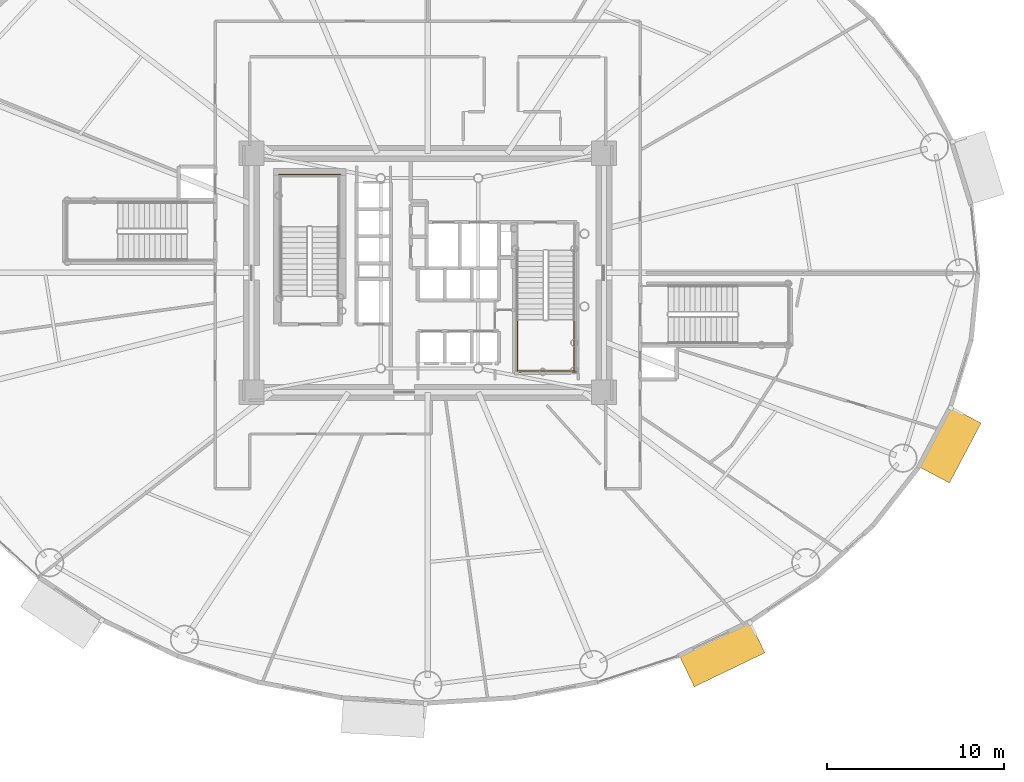
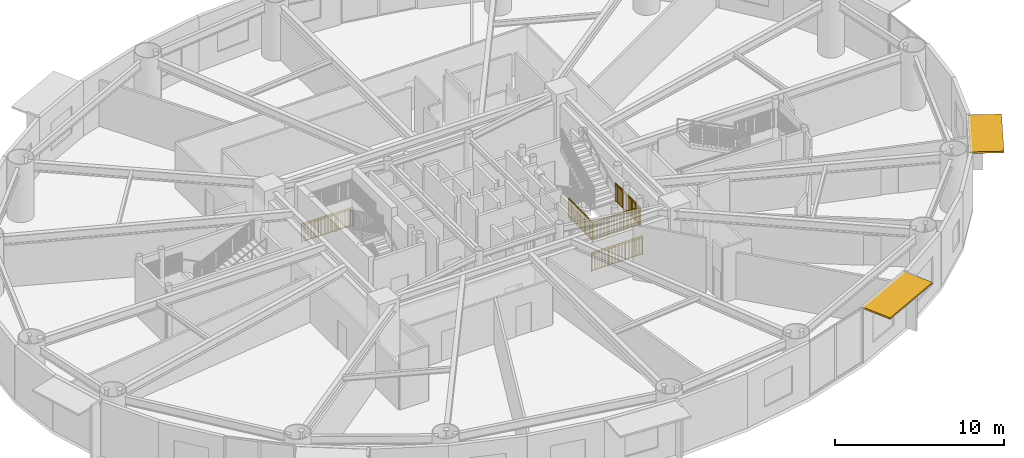
# One storey, part 24 of 29: 5 railings, 2 shading devices.
"""IFC4 building model written with IfcOpenShell, lengths in metres."""

from ifc_helpers import new_model, si_unit, direction, frame, origin, origin_2d, place, context, subcontext, project, spatial, rectangle, extrude, source, transform, mapped, material, layer, layer_set, type_object, element, save


model = new_model("IFC4")

# Units and contexts
model_context = context("Model", 3, precision=1e-05, world=origin(), true_north=direction((0.0, 1.0)))
body_context = subcontext(model_context, "Body", "Model", "MODEL_VIEW")
ifc_project = project(units=[si_unit("LENGTHUNIT", "METRE"), si_unit("AREAUNIT", "SQUARE_METRE"), si_unit("VOLUMEUNIT", "CUBIC_METRE"), si_unit("PLANEANGLEUNIT", "RADIAN"), si_unit("MASSUNIT", "GRAM", prefix="KILO")], contexts=[model_context])

# Site, building, storey
site_placement = place(None, origin())
site = spatial("IfcSite", under=ifc_project, at=site_placement, CompositionType="ELEMENT")
building_placement = place(site_placement, origin())
building = spatial("IfcBuilding", under=site, at=building_placement, Name="Linh Dai School and Residence Tower", CompositionType="ELEMENT")
storey_placement = place(building_placement, frame((0.0, 0.0, 45.0)))
storey = spatial("IfcBuildingStorey", under=building, at=storey_placement, Name="L10", CompositionType="ELEMENT", Elevation=45.0)

# Shading devices
ifc_material_1 = material(Name="Terracotta Ceramic Sunshade", Category="masonry")
ifc_layer = layer(ifc_material_1, 0.1201171875)
ifc_layer_set = layer_set([ifc_layer], Name="Terracotta Ceramic Sunshade")
shading_device_type = type_object("IfcShadingDeviceType", Name="SHD-TC-2000", PredefinedType="USERDEFINED", material=ifc_layer_set)
shared_shape_1 = source(origin(), body_context, "Body", "SweptSolid", [
    extrude(rectangle(XDim=4.428466796875, YDim=2.0, at=origin_2d()), origin(), (0.0, 0.0, 1.0), 0.1201171875),
])
shading_device_1_placement = place(storey_placement, frame((52.613037109375, 5.48095703125, 3.81005859375), z_axis=(0.0, 0.0, 1.0), x_axis=(-0.901584514626, -0.432603008528, 0.0)))
element("IfcShadingDevice", 1, at=shading_device_1_placement, inside=storey, type_object=shading_device_type, Name="L10 Terracotta Horizontal Sunshade Band 34", ObjectType="SUNSHADE", PredefinedType="USERDEFINED", context=body_context, shape_type="MappedRepresentation", body=[
    mapped(shared_shape_1, transform((0.0, 0.0, 0.0), x_axis=(1.0, 0.0, 0.0), y_axis=(0.0, 1.0, 0.0), z_axis=(0.0, 0.0, 1.0), scale=1.0)),
])
shared_shape_2 = source(origin(), body_context, "Body", "SweptSolid", [
    extrude(rectangle(XDim=3.824462890625, YDim=2.0, at=origin_2d()), origin(), (0.0, 0.0, 1.0), 0.1201171875),
])
shading_device_2_placement = place(storey_placement, frame((65.474609375, 17.2890625, 3.81005859375), z_axis=(0.0, 0.0, 1.0), x_axis=(-0.467611940042, -0.883933862645, 0.0)))
element("IfcShadingDevice", 2, at=shading_device_2_placement, inside=storey, type_object=shading_device_type, Name="L10 Terracotta Horizontal Sunshade Band 38", ObjectType="SUNSHADE", PredefinedType="USERDEFINED", context=body_context, shape_type="MappedRepresentation", body=[
    mapped(shared_shape_2, transform((0.0, 0.0, 0.0), x_axis=(1.0, 0.0, 0.0), y_axis=(0.0, 1.0, 0.0), z_axis=(0.0, 0.0, 1.0), scale=1.0)),
])

# Railings
ifc_material_2 = material(Name="Structural Steel S355JR", Category="steel")
railing_type = type_object("IfcRailingType", Name="RL-ST-GUARD-1400", PredefinedType="GUARDRAIL", material=ifc_material_2)
shared_shape_3 = source(origin(), body_context, "Body", "SweptSolid", [
    extrude(rectangle(XDim=0.048095703125, YDim=0.048095703125, at=origin_2d()), frame((0.0, 0.0, 1.3759765625), z_axis=(-1.0, 0.0, 0.0), x_axis=(0.0, -1.0, 0.0)), (0.0, 0.0, 1.0), 3.5),
    extrude(rectangle(XDim=0.048095703125, YDim=0.048095703125, at=origin_2d()), frame((0.0, 0.0, 0.10009765625), z_axis=(-1.0, 0.0, 0.0), x_axis=(0.0, -1.0, 0.0)), (0.0, 0.0, 1.0), 3.5),
    extrude(rectangle(XDim=0.030029296875, YDim=0.030029296875, at=origin_2d()), frame((0.0, 0.0, 1.239990234375), z_axis=(-1.0, 0.0, 0.0), x_axis=(0.0, -1.0, 0.0)), (0.0, 0.0, 1.0), 3.5),
    extrude(rectangle(XDim=0.02001953125, YDim=0.02001953125, at=origin_2d()), frame((-0.09716796875, 0.0, 0.10009765625)), (0.0, 0.0, 1.0), 1.251708984375),
    extrude(rectangle(XDim=0.02001953125, YDim=0.02001953125, at=origin_2d()), frame((-0.1943359375, 0.0, 0.10009765625)), (0.0, 0.0, 1.0), 1.251708984375),
    extrude(rectangle(XDim=0.02001953125, YDim=0.02001953125, at=origin_2d()), frame((-0.291748046875, 0.0, 0.10009765625)), (0.0, 0.0, 1.0), 1.251708984375),
    extrude(rectangle(XDim=0.02001953125, YDim=0.02001953125, at=origin_2d()), frame((-0.388916015625, 0.0, 0.10009765625)), (0.0, 0.0, 1.0), 1.251708984375),
    extrude(rectangle(XDim=0.02001953125, YDim=0.02001953125, at=origin_2d()), frame((-0.486083984375, 0.0, 0.10009765625)), (0.0, 0.0, 1.0), 1.251708984375),
    extrude(rectangle(XDim=0.02001953125, YDim=0.02001953125, at=origin_2d()), frame((-0.583251953125, 0.0, 0.10009765625)), (0.0, 0.0, 1.0), 1.251708984375),
    extrude(rectangle(XDim=0.02001953125, YDim=0.02001953125, at=origin_2d()), frame((-0.6806640625, 0.0, 0.10009765625)), (0.0, 0.0, 1.0), 1.251708984375),
    extrude(rectangle(XDim=0.02001953125, YDim=0.02001953125, at=origin_2d()), frame((-0.77783203125, 0.0, 0.10009765625)), (0.0, 0.0, 1.0), 1.251708984375),
    extrude(rectangle(XDim=0.02001953125, YDim=0.02001953125, at=origin_2d()), frame((-0.875, 0.0, 0.10009765625)), (0.0, 0.0, 1.0), 1.251708984375),
    extrude(rectangle(XDim=0.02001953125, YDim=0.02001953125, at=origin_2d()), frame((-0.97216796875, 0.0, 0.10009765625)), (0.0, 0.0, 1.0), 1.251708984375),
    extrude(rectangle(XDim=0.02001953125, YDim=0.02001953125, at=origin_2d()), frame((-1.0693359375, 0.0, 0.10009765625)), (0.0, 0.0, 1.0), 1.251708984375),
    extrude(rectangle(XDim=0.02001953125, YDim=0.02001953125, at=origin_2d()), frame((-1.263916015625, 0.0, 0.10009765625)), (0.0, 0.0, 1.0), 1.251708984375),
    extrude(rectangle(XDim=0.02001953125, YDim=0.02001953125, at=origin_2d()), frame((-1.361083984375, 0.0, 0.10009765625)), (0.0, 0.0, 1.0), 1.251708984375),
    extrude(rectangle(XDim=0.02001953125, YDim=0.02001953125, at=origin_2d()), frame((-1.458251953125, 0.0, 0.10009765625)), (0.0, 0.0, 1.0), 1.251708984375),
    extrude(rectangle(XDim=0.02001953125, YDim=0.02001953125, at=origin_2d()), frame((-1.5556640625, 0.0, 0.10009765625)), (0.0, 0.0, 1.0), 1.251708984375),
    extrude(rectangle(XDim=0.02001953125, YDim=0.02001953125, at=origin_2d()), frame((-1.65283203125, 0.0, 0.10009765625)), (0.0, 0.0, 1.0), 1.251708984375),
    extrude(rectangle(XDim=0.02001953125, YDim=0.02001953125, at=origin_2d()), frame((-1.75, 0.0, 0.10009765625)), (0.0, 0.0, 1.0), 1.251708984375),
    extrude(rectangle(XDim=0.02001953125, YDim=0.02001953125, at=origin_2d()), frame((-1.84716796875, 0.0, 0.10009765625)), (0.0, 0.0, 1.0), 1.251708984375),
    extrude(rectangle(XDim=0.02001953125, YDim=0.02001953125, at=origin_2d()), frame((-1.9443359375, 0.0, 0.10009765625)), (0.0, 0.0, 1.0), 1.251708984375),
    extrude(rectangle(XDim=0.02001953125, YDim=0.02001953125, at=origin_2d()), frame((-2.041748046875, 0.0, 0.10009765625)), (0.0, 0.0, 1.0), 1.251708984375),
    extrude(rectangle(XDim=0.02001953125, YDim=0.02001953125, at=origin_2d()), frame((-2.138916015625, 0.0, 0.10009765625)), (0.0, 0.0, 1.0), 1.251708984375),
    extrude(rectangle(XDim=0.02001953125, YDim=0.02001953125, at=origin_2d()), frame((-2.236083984375, 0.0, 0.10009765625)), (0.0, 0.0, 1.0), 1.251708984375),
    extrude(rectangle(XDim=0.02001953125, YDim=0.02001953125, at=origin_2d()), frame((-2.4306640625, 0.0, 0.10009765625)), (0.0, 0.0, 1.0), 1.251708984375),
    extrude(rectangle(XDim=0.02001953125, YDim=0.02001953125, at=origin_2d()), frame((-2.52783203125, 0.0, 0.10009765625)), (0.0, 0.0, 1.0), 1.251708984375),
    extrude(rectangle(XDim=0.02001953125, YDim=0.02001953125, at=origin_2d()), frame((-2.625, 0.0, 0.10009765625)), (0.0, 0.0, 1.0), 1.251708984375),
    extrude(rectangle(XDim=0.02001953125, YDim=0.02001953125, at=origin_2d()), frame((-2.72216796875, 0.0, 0.10009765625)), (0.0, 0.0, 1.0), 1.251708984375),
    extrude(rectangle(XDim=0.02001953125, YDim=0.02001953125, at=origin_2d()), frame((-2.8193359375, 0.0, 0.10009765625)), (0.0, 0.0, 1.0), 1.251708984375),
    extrude(rectangle(XDim=0.02001953125, YDim=0.02001953125, at=origin_2d()), frame((-2.916748046875, 0.0, 0.10009765625)), (0.0, 0.0, 1.0), 1.251708984375),
    extrude(rectangle(XDim=0.02001953125, YDim=0.02001953125, at=origin_2d()), frame((-3.013916015625, 0.0, 0.10009765625)), (0.0, 0.0, 1.0), 1.251708984375),
    extrude(rectangle(XDim=0.02001953125, YDim=0.02001953125, at=origin_2d()), frame((-3.111083984375, 0.0, 0.10009765625)), (0.0, 0.0, 1.0), 1.251708984375),
    extrude(rectangle(XDim=0.02001953125, YDim=0.02001953125, at=origin_2d()), frame((-3.208251953125, 0.0, 0.10009765625)), (0.0, 0.0, 1.0), 1.251708984375),
    extrude(rectangle(XDim=0.02001953125, YDim=0.02001953125, at=origin_2d()), frame((-3.3056640625, 0.0, 0.10009765625)), (0.0, 0.0, 1.0), 1.251708984375),
    extrude(rectangle(XDim=0.02001953125, YDim=0.02001953125, at=origin_2d()), frame((-3.40283203125, 0.0, 0.10009765625)), (0.0, 0.0, 1.0), 1.251708984375),
    extrude(rectangle(XDim=0.0419921875, YDim=0.0419921875, at=origin_2d()), origin(), (0.0, 0.0, 1.0), 1.3759765625),
    extrude(rectangle(XDim=0.0419921875, YDim=0.0419921875, at=origin_2d()), frame((-1.166748046875, 0.0, 0.0)), (0.0, 0.0, 1.0), 1.3759765625),
    extrude(rectangle(XDim=0.0419921875, YDim=0.0419921875, at=origin_2d()), frame((-2.333251953125, 0.0, 0.0)), (0.0, 0.0, 1.0), 1.3759765625),
    extrude(rectangle(XDim=0.0419921875, YDim=0.0419921875, at=origin_2d()), frame((-3.5, 0.0, 0.0)), (0.0, 0.0, 1.0), 1.3759765625),
])
railing_1_placement = place(storey_placement, frame((31.080078125, 32.550048828125, 0.0)))
element("IfcRailing", 3, at=railing_1_placement, inside=storey, type_object=railing_type, Name="L10 ST1 stair guard 12", PredefinedType="GUARDRAIL", context=body_context, shape_type="MappedRepresentation", body=[
    mapped(shared_shape_3, transform((0.0, 0.0, 0.0), x_axis=(1.0, 0.0, 0.0), y_axis=(0.0, 1.0, 0.0), z_axis=(0.0, 0.0, 1.0), scale=1.0)),
])
shared_shape_4 = source(origin(), body_context, "Body", "SweptSolid", [
    extrude(rectangle(XDim=0.048095703125, YDim=0.048095703125, at=origin_2d()), frame((0.0, 0.0, 1.3759765625), z_axis=(1.0, 0.0, 0.0), x_axis=(0.0, 1.0, 0.0)), (0.0, 0.0, 1.0), 3.300048828125),
    extrude(rectangle(XDim=0.048095703125, YDim=0.048095703125, at=origin_2d()), frame((0.0, 0.0, 0.10009765625), z_axis=(1.0, 0.0, 0.0), x_axis=(0.0, 1.0, 0.0)), (0.0, 0.0, 1.0), 3.300048828125),
    extrude(rectangle(XDim=0.030029296875, YDim=0.030029296875, at=origin_2d()), frame((0.0, 0.0, 1.239990234375), z_axis=(1.0, 0.0, 0.0), x_axis=(0.0, 1.0, 0.0)), (0.0, 0.0, 1.0), 3.300048828125),
    extrude(rectangle(XDim=0.02001953125, YDim=0.02001953125, at=origin_2d()), frame((0.09716796875, 0.0, 0.10009765625)), (0.0, 0.0, 1.0), 1.251708984375),
    extrude(rectangle(XDim=0.02001953125, YDim=0.02001953125, at=origin_2d()), frame((0.194091796875, 0.0, 0.10009765625)), (0.0, 0.0, 1.0), 1.251708984375),
    extrude(rectangle(XDim=0.02001953125, YDim=0.02001953125, at=origin_2d()), frame((0.291259765625, 0.0, 0.10009765625)), (0.0, 0.0, 1.0), 1.251708984375),
    extrude(rectangle(XDim=0.02001953125, YDim=0.02001953125, at=origin_2d()), frame((0.38818359375, 0.0, 0.10009765625)), (0.0, 0.0, 1.0), 1.251708984375),
    extrude(rectangle(XDim=0.02001953125, YDim=0.02001953125, at=origin_2d()), frame((0.4853515625, 0.0, 0.10009765625)), (0.0, 0.0, 1.0), 1.251708984375),
    extrude(rectangle(XDim=0.02001953125, YDim=0.02001953125, at=origin_2d()), frame((0.582275390625, 0.0, 0.10009765625)), (0.0, 0.0, 1.0), 1.251708984375),
    extrude(rectangle(XDim=0.02001953125, YDim=0.02001953125, at=origin_2d()), frame((0.679443359375, 0.0, 0.10009765625)), (0.0, 0.0, 1.0), 1.251708984375),
    extrude(rectangle(XDim=0.02001953125, YDim=0.02001953125, at=origin_2d()), frame((0.7763671875, 0.0, 0.10009765625)), (0.0, 0.0, 1.0), 1.251708984375),
    extrude(rectangle(XDim=0.02001953125, YDim=0.02001953125, at=origin_2d()), frame((0.87353515625, 0.0, 0.10009765625)), (0.0, 0.0, 1.0), 1.251708984375),
    extrude(rectangle(XDim=0.02001953125, YDim=0.02001953125, at=origin_2d()), frame((0.970703125, 0.0, 0.10009765625)), (0.0, 0.0, 1.0), 1.251708984375),
    extrude(rectangle(XDim=0.02001953125, YDim=0.02001953125, at=origin_2d()), frame((1.164794921875, 0.0, 0.10009765625)), (0.0, 0.0, 1.0), 1.251708984375),
    extrude(rectangle(XDim=0.02001953125, YDim=0.02001953125, at=origin_2d()), frame((1.26171875, 0.0, 0.10009765625)), (0.0, 0.0, 1.0), 1.251708984375),
    extrude(rectangle(XDim=0.02001953125, YDim=0.02001953125, at=origin_2d()), frame((1.35888671875, 0.0, 0.10009765625)), (0.0, 0.0, 1.0), 1.251708984375),
    extrude(rectangle(XDim=0.02001953125, YDim=0.02001953125, at=origin_2d()), frame((1.455810546875, 0.0, 0.10009765625)), (0.0, 0.0, 1.0), 1.251708984375),
    extrude(rectangle(XDim=0.02001953125, YDim=0.02001953125, at=origin_2d()), frame((1.552978515625, 0.0, 0.10009765625)), (0.0, 0.0, 1.0), 1.251708984375),
    extrude(rectangle(XDim=0.02001953125, YDim=0.02001953125, at=origin_2d()), frame((1.64990234375, 0.0, 0.10009765625)), (0.0, 0.0, 1.0), 1.251708984375),
    extrude(rectangle(XDim=0.02001953125, YDim=0.02001953125, at=origin_2d()), frame((1.7470703125, 0.0, 0.10009765625)), (0.0, 0.0, 1.0), 1.251708984375),
    extrude(rectangle(XDim=0.02001953125, YDim=0.02001953125, at=origin_2d()), frame((1.84423828125, 0.0, 0.10009765625)), (0.0, 0.0, 1.0), 1.251708984375),
    extrude(rectangle(XDim=0.02001953125, YDim=0.02001953125, at=origin_2d()), frame((1.941162109375, 0.0, 0.10009765625)), (0.0, 0.0, 1.0), 1.251708984375),
    extrude(rectangle(XDim=0.02001953125, YDim=0.02001953125, at=origin_2d()), frame((2.038330078125, 0.0, 0.10009765625)), (0.0, 0.0, 1.0), 1.251708984375),
    extrude(rectangle(XDim=0.02001953125, YDim=0.02001953125, at=origin_2d()), frame((2.13525390625, 0.0, 0.10009765625)), (0.0, 0.0, 1.0), 1.251708984375),
    extrude(rectangle(XDim=0.02001953125, YDim=0.02001953125, at=origin_2d()), frame((2.329345703125, 0.0, 0.10009765625)), (0.0, 0.0, 1.0), 1.251708984375),
    extrude(rectangle(XDim=0.02001953125, YDim=0.02001953125, at=origin_2d()), frame((2.426513671875, 0.0, 0.10009765625)), (0.0, 0.0, 1.0), 1.251708984375),
    extrude(rectangle(XDim=0.02001953125, YDim=0.02001953125, at=origin_2d()), frame((2.523681640625, 0.0, 0.10009765625)), (0.0, 0.0, 1.0), 1.251708984375),
    extrude(rectangle(XDim=0.02001953125, YDim=0.02001953125, at=origin_2d()), frame((2.62060546875, 0.0, 0.10009765625)), (0.0, 0.0, 1.0), 1.251708984375),
    extrude(rectangle(XDim=0.02001953125, YDim=0.02001953125, at=origin_2d()), frame((2.7177734375, 0.0, 0.10009765625)), (0.0, 0.0, 1.0), 1.251708984375),
    extrude(rectangle(XDim=0.02001953125, YDim=0.02001953125, at=origin_2d()), frame((2.814697265625, 0.0, 0.10009765625)), (0.0, 0.0, 1.0), 1.251708984375),
    extrude(rectangle(XDim=0.02001953125, YDim=0.02001953125, at=origin_2d()), frame((2.911865234375, 0.0, 0.10009765625)), (0.0, 0.0, 1.0), 1.251708984375),
    extrude(rectangle(XDim=0.02001953125, YDim=0.02001953125, at=origin_2d()), frame((3.0087890625, 0.0, 0.10009765625)), (0.0, 0.0, 1.0), 1.251708984375),
    extrude(rectangle(XDim=0.02001953125, YDim=0.02001953125, at=origin_2d()), frame((3.10595703125, 0.0, 0.10009765625)), (0.0, 0.0, 1.0), 1.251708984375),
    extrude(rectangle(XDim=0.02001953125, YDim=0.02001953125, at=origin_2d()), frame((3.202880859375, 0.0, 0.10009765625)), (0.0, 0.0, 1.0), 1.251708984375),
    extrude(rectangle(XDim=0.0419921875, YDim=0.0419921875, at=origin_2d()), origin(), (0.0, 0.0, 1.0), 1.3759765625),
    extrude(rectangle(XDim=0.0419921875, YDim=0.0419921875, at=origin_2d()), frame((1.10009765625, 0.0, 0.0)), (0.0, 0.0, 1.0), 1.3759765625),
    extrude(rectangle(XDim=0.0419921875, YDim=0.0419921875, at=origin_2d()), frame((2.199951171875, 0.0, 0.0)), (0.0, 0.0, 1.0), 1.3759765625),
    extrude(rectangle(XDim=0.0419921875, YDim=0.0419921875, at=origin_2d()), frame((3.300048828125, 0.0, 0.0)), (0.0, 0.0, 1.0), 1.3759765625),
])
railing_2_placement = place(storey_placement, frame((41.02001953125, 21.5, 2.10009765625)))
element("IfcRailing", 4, at=railing_2_placement, inside=storey, type_object=railing_type, Name="L10 ST2 stair guard 5", PredefinedType="GUARDRAIL", context=body_context, shape_type="MappedRepresentation", body=[
    mapped(shared_shape_4, transform((0.0, 0.0, 0.0), x_axis=(1.0, 0.0, 0.0), y_axis=(0.0, 1.0, 0.0), z_axis=(0.0, 0.0, 1.0), scale=1.0)),
])
shared_shape_5 = source(origin(), body_context, "Body", "SweptSolid", [
    extrude(rectangle(XDim=0.048095703125, YDim=0.048095703125, at=origin_2d()), frame((0.0, 0.0, 1.3759765625), z_axis=(1.0, 0.0, 0.0), x_axis=(0.0, 1.0, 0.0)), (0.0, 0.0, 1.0), 3.5),
    extrude(rectangle(XDim=0.048095703125, YDim=0.048095703125, at=origin_2d()), frame((0.0, 0.0, 0.10009765625), z_axis=(1.0, 0.0, 0.0), x_axis=(0.0, 1.0, 0.0)), (0.0, 0.0, 1.0), 3.5),
    extrude(rectangle(XDim=0.030029296875, YDim=0.030029296875, at=origin_2d()), frame((0.0, 0.0, 1.239990234375), z_axis=(1.0, 0.0, 0.0), x_axis=(0.0, 1.0, 0.0)), (0.0, 0.0, 1.0), 3.5),
    extrude(rectangle(XDim=0.02001953125, YDim=0.02001953125, at=origin_2d()), frame((0.09716796875, 0.0, 0.10009765625)), (0.0, 0.0, 1.0), 1.251708984375),
    extrude(rectangle(XDim=0.02001953125, YDim=0.02001953125, at=origin_2d()), frame((0.1943359375, 0.0, 0.10009765625)), (0.0, 0.0, 1.0), 1.251708984375),
    extrude(rectangle(XDim=0.02001953125, YDim=0.02001953125, at=origin_2d()), frame((0.291748046875, 0.0, 0.10009765625)), (0.0, 0.0, 1.0), 1.251708984375),
    extrude(rectangle(XDim=0.02001953125, YDim=0.02001953125, at=origin_2d()), frame((0.388916015625, 0.0, 0.10009765625)), (0.0, 0.0, 1.0), 1.251708984375),
    extrude(rectangle(XDim=0.02001953125, YDim=0.02001953125, at=origin_2d()), frame((0.486083984375, 0.0, 0.10009765625)), (0.0, 0.0, 1.0), 1.251708984375),
    extrude(rectangle(XDim=0.02001953125, YDim=0.02001953125, at=origin_2d()), frame((0.583251953125, 0.0, 0.10009765625)), (0.0, 0.0, 1.0), 1.251708984375),
    extrude(rectangle(XDim=0.02001953125, YDim=0.02001953125, at=origin_2d()), frame((0.6806640625, 0.0, 0.10009765625)), (0.0, 0.0, 1.0), 1.251708984375),
    extrude(rectangle(XDim=0.02001953125, YDim=0.02001953125, at=origin_2d()), frame((0.77783203125, 0.0, 0.10009765625)), (0.0, 0.0, 1.0), 1.251708984375),
    extrude(rectangle(XDim=0.02001953125, YDim=0.02001953125, at=origin_2d()), frame((0.875, 0.0, 0.10009765625)), (0.0, 0.0, 1.0), 1.251708984375),
    extrude(rectangle(XDim=0.02001953125, YDim=0.02001953125, at=origin_2d()), frame((0.97216796875, 0.0, 0.10009765625)), (0.0, 0.0, 1.0), 1.251708984375),
    extrude(rectangle(XDim=0.02001953125, YDim=0.02001953125, at=origin_2d()), frame((1.0693359375, 0.0, 0.10009765625)), (0.0, 0.0, 1.0), 1.251708984375),
    extrude(rectangle(XDim=0.02001953125, YDim=0.02001953125, at=origin_2d()), frame((1.263916015625, 0.0, 0.10009765625)), (0.0, 0.0, 1.0), 1.251708984375),
    extrude(rectangle(XDim=0.02001953125, YDim=0.02001953125, at=origin_2d()), frame((1.361083984375, 0.0, 0.10009765625)), (0.0, 0.0, 1.0), 1.251708984375),
    extrude(rectangle(XDim=0.02001953125, YDim=0.02001953125, at=origin_2d()), frame((1.458251953125, 0.0, 0.10009765625)), (0.0, 0.0, 1.0), 1.251708984375),
    extrude(rectangle(XDim=0.02001953125, YDim=0.02001953125, at=origin_2d()), frame((1.5556640625, 0.0, 0.10009765625)), (0.0, 0.0, 1.0), 1.251708984375),
    extrude(rectangle(XDim=0.02001953125, YDim=0.02001953125, at=origin_2d()), frame((1.65283203125, 0.0, 0.10009765625)), (0.0, 0.0, 1.0), 1.251708984375),
    extrude(rectangle(XDim=0.02001953125, YDim=0.02001953125, at=origin_2d()), frame((1.75, 0.0, 0.10009765625)), (0.0, 0.0, 1.0), 1.251708984375),
    extrude(rectangle(XDim=0.02001953125, YDim=0.02001953125, at=origin_2d()), frame((1.84716796875, 0.0, 0.10009765625)), (0.0, 0.0, 1.0), 1.251708984375),
    extrude(rectangle(XDim=0.02001953125, YDim=0.02001953125, at=origin_2d()), frame((1.9443359375, 0.0, 0.10009765625)), (0.0, 0.0, 1.0), 1.251708984375),
    extrude(rectangle(XDim=0.02001953125, YDim=0.02001953125, at=origin_2d()), frame((2.041748046875, 0.0, 0.10009765625)), (0.0, 0.0, 1.0), 1.251708984375),
    extrude(rectangle(XDim=0.02001953125, YDim=0.02001953125, at=origin_2d()), frame((2.138916015625, 0.0, 0.10009765625)), (0.0, 0.0, 1.0), 1.251708984375),
    extrude(rectangle(XDim=0.02001953125, YDim=0.02001953125, at=origin_2d()), frame((2.236083984375, 0.0, 0.10009765625)), (0.0, 0.0, 1.0), 1.251708984375),
    extrude(rectangle(XDim=0.02001953125, YDim=0.02001953125, at=origin_2d()), frame((2.4306640625, 0.0, 0.10009765625)), (0.0, 0.0, 1.0), 1.251708984375),
    extrude(rectangle(XDim=0.02001953125, YDim=0.02001953125, at=origin_2d()), frame((2.52783203125, 0.0, 0.10009765625)), (0.0, 0.0, 1.0), 1.251708984375),
    extrude(rectangle(XDim=0.02001953125, YDim=0.02001953125, at=origin_2d()), frame((2.625, 0.0, 0.10009765625)), (0.0, 0.0, 1.0), 1.251708984375),
    extrude(rectangle(XDim=0.02001953125, YDim=0.02001953125, at=origin_2d()), frame((2.72216796875, 0.0, 0.10009765625)), (0.0, 0.0, 1.0), 1.251708984375),
    extrude(rectangle(XDim=0.02001953125, YDim=0.02001953125, at=origin_2d()), frame((2.8193359375, 0.0, 0.10009765625)), (0.0, 0.0, 1.0), 1.251708984375),
    extrude(rectangle(XDim=0.02001953125, YDim=0.02001953125, at=origin_2d()), frame((2.916748046875, 0.0, 0.10009765625)), (0.0, 0.0, 1.0), 1.251708984375),
    extrude(rectangle(XDim=0.02001953125, YDim=0.02001953125, at=origin_2d()), frame((3.013916015625, 0.0, 0.10009765625)), (0.0, 0.0, 1.0), 1.251708984375),
    extrude(rectangle(XDim=0.02001953125, YDim=0.02001953125, at=origin_2d()), frame((3.111083984375, 0.0, 0.10009765625)), (0.0, 0.0, 1.0), 1.251708984375),
    extrude(rectangle(XDim=0.02001953125, YDim=0.02001953125, at=origin_2d()), frame((3.208251953125, 0.0, 0.10009765625)), (0.0, 0.0, 1.0), 1.251708984375),
    extrude(rectangle(XDim=0.02001953125, YDim=0.02001953125, at=origin_2d()), frame((3.3056640625, 0.0, 0.10009765625)), (0.0, 0.0, 1.0), 1.251708984375),
    extrude(rectangle(XDim=0.02001953125, YDim=0.02001953125, at=origin_2d()), frame((3.40283203125, 0.0, 0.10009765625)), (0.0, 0.0, 1.0), 1.251708984375),
    extrude(rectangle(XDim=0.0419921875, YDim=0.0419921875, at=origin_2d()), origin(), (0.0, 0.0, 1.0), 1.3759765625),
    extrude(rectangle(XDim=0.0419921875, YDim=0.0419921875, at=origin_2d()), frame((1.166748046875, 0.0, 0.0)), (0.0, 0.0, 1.0), 1.3759765625),
    extrude(rectangle(XDim=0.0419921875, YDim=0.0419921875, at=origin_2d()), frame((2.333251953125, 0.0, 0.0)), (0.0, 0.0, 1.0), 1.3759765625),
    extrude(rectangle(XDim=0.0419921875, YDim=0.0419921875, at=origin_2d()), frame((3.5, 0.0, 0.0)), (0.0, 0.0, 1.0), 1.3759765625),
])
railing_3_placement = place(storey_placement, frame((40.919921875, 21.39990234375, 0.0)))
element("IfcRailing", 5, at=railing_3_placement, inside=storey, type_object=railing_type, Name="L10 ST2 stair guard 12", PredefinedType="GUARDRAIL", context=body_context, shape_type="MappedRepresentation", body=[
    mapped(shared_shape_5, transform((0.0, 0.0, 0.0), x_axis=(1.0, 0.0, 0.0), y_axis=(0.0, 1.0, 0.0), z_axis=(0.0, 0.0, 1.0), scale=1.0)),
])
shared_shape_6 = source(origin(), body_context, "Body", "SweptSolid", [
    extrude(rectangle(XDim=0.048095703125, YDim=0.048095703125, at=origin_2d()), frame((0.0, 0.0, 1.3759765625), z_axis=(0.0, -1.0, 0.0), x_axis=(1.0, 0.0, 0.0)), (0.0, 0.0, 1.0), 2.900146484375),
    extrude(rectangle(XDim=0.048095703125, YDim=0.048095703125, at=origin_2d()), frame((0.0, 0.0, 0.10009765625), z_axis=(0.0, -1.0, 0.0), x_axis=(1.0, 0.0, 0.0)), (0.0, 0.0, 1.0), 2.900146484375),
    extrude(rectangle(XDim=0.030029296875, YDim=0.030029296875, at=origin_2d()), frame((0.0, 0.0, 1.239990234375), z_axis=(0.0, -1.0, 0.0), x_axis=(1.0, 0.0, 0.0)), (0.0, 0.0, 1.0), 2.900146484375),
    extrude(rectangle(XDim=0.02001953125, YDim=0.02001953125, at=origin_2d()), frame((0.0, -0.0966796875, 0.10009765625)), (0.0, 0.0, 1.0), 1.251708984375),
    extrude(rectangle(XDim=0.02001953125, YDim=0.02001953125, at=origin_2d()), frame((0.0, -0.193359375, 0.10009765625)), (0.0, 0.0, 1.0), 1.251708984375),
    extrude(rectangle(XDim=0.02001953125, YDim=0.02001953125, at=origin_2d()), frame((0.0, -0.2900390625, 0.10009765625)), (0.0, 0.0, 1.0), 1.251708984375),
    extrude(rectangle(XDim=0.02001953125, YDim=0.02001953125, at=origin_2d()), frame((0.0, -0.38671875, 0.10009765625)), (0.0, 0.0, 1.0), 1.251708984375),
    extrude(rectangle(XDim=0.02001953125, YDim=0.02001953125, at=origin_2d()), frame((0.0, -0.4833984375, 0.10009765625)), (0.0, 0.0, 1.0), 1.251708984375),
    extrude(rectangle(XDim=0.02001953125, YDim=0.02001953125, at=origin_2d()), frame((0.0, -0.580078125, 0.10009765625)), (0.0, 0.0, 1.0), 1.251708984375),
    extrude(rectangle(XDim=0.02001953125, YDim=0.02001953125, at=origin_2d()), frame((0.0, -0.6767578125, 0.10009765625)), (0.0, 0.0, 1.0), 1.251708984375),
    extrude(rectangle(XDim=0.02001953125, YDim=0.02001953125, at=origin_2d()), frame((0.0, -0.7734375, 0.10009765625)), (0.0, 0.0, 1.0), 1.251708984375),
    extrude(rectangle(XDim=0.02001953125, YDim=0.02001953125, at=origin_2d()), frame((0.0, -0.8701171875, 0.10009765625)), (0.0, 0.0, 1.0), 1.251708984375),
    extrude(rectangle(XDim=0.02001953125, YDim=0.02001953125, at=origin_2d()), frame((0.0, -1.0634765625, 0.10009765625)), (0.0, 0.0, 1.0), 1.251708984375),
    extrude(rectangle(XDim=0.02001953125, YDim=0.02001953125, at=origin_2d()), frame((0.0, -1.16015625, 0.10009765625)), (0.0, 0.0, 1.0), 1.251708984375),
    extrude(rectangle(XDim=0.02001953125, YDim=0.02001953125, at=origin_2d()), frame((0.0, -1.2568359375, 0.10009765625)), (0.0, 0.0, 1.0), 1.251708984375),
    extrude(rectangle(XDim=0.02001953125, YDim=0.02001953125, at=origin_2d()), frame((0.0, -1.353515625, 0.10009765625)), (0.0, 0.0, 1.0), 1.251708984375),
    extrude(rectangle(XDim=0.02001953125, YDim=0.02001953125, at=origin_2d()), frame((0.0, -1.4501953125, 0.10009765625)), (0.0, 0.0, 1.0), 1.251708984375),
    extrude(rectangle(XDim=0.02001953125, YDim=0.02001953125, at=origin_2d()), frame((0.0, -1.546630859375, 0.10009765625)), (0.0, 0.0, 1.0), 1.251708984375),
    extrude(rectangle(XDim=0.02001953125, YDim=0.02001953125, at=origin_2d()), frame((0.0, -1.643310546875, 0.10009765625)), (0.0, 0.0, 1.0), 1.251708984375),
    extrude(rectangle(XDim=0.02001953125, YDim=0.02001953125, at=origin_2d()), frame((0.0, -1.739990234375, 0.10009765625)), (0.0, 0.0, 1.0), 1.251708984375),
    extrude(rectangle(XDim=0.02001953125, YDim=0.02001953125, at=origin_2d()), frame((0.0, -1.836669921875, 0.10009765625)), (0.0, 0.0, 1.0), 1.251708984375),
    extrude(rectangle(XDim=0.02001953125, YDim=0.02001953125, at=origin_2d()), frame((0.0, -2.030029296875, 0.10009765625)), (0.0, 0.0, 1.0), 1.251708984375),
    extrude(rectangle(XDim=0.02001953125, YDim=0.02001953125, at=origin_2d()), frame((0.0, -2.126708984375, 0.10009765625)), (0.0, 0.0, 1.0), 1.251708984375),
    extrude(rectangle(XDim=0.02001953125, YDim=0.02001953125, at=origin_2d()), frame((0.0, -2.223388671875, 0.10009765625)), (0.0, 0.0, 1.0), 1.251708984375),
    extrude(rectangle(XDim=0.02001953125, YDim=0.02001953125, at=origin_2d()), frame((0.0, -2.320068359375, 0.10009765625)), (0.0, 0.0, 1.0), 1.251708984375),
    extrude(rectangle(XDim=0.02001953125, YDim=0.02001953125, at=origin_2d()), frame((0.0, -2.416748046875, 0.10009765625)), (0.0, 0.0, 1.0), 1.251708984375),
    extrude(rectangle(XDim=0.02001953125, YDim=0.02001953125, at=origin_2d()), frame((0.0, -2.513427734375, 0.10009765625)), (0.0, 0.0, 1.0), 1.251708984375),
    extrude(rectangle(XDim=0.02001953125, YDim=0.02001953125, at=origin_2d()), frame((0.0, -2.610107421875, 0.10009765625)), (0.0, 0.0, 1.0), 1.251708984375),
    extrude(rectangle(XDim=0.02001953125, YDim=0.02001953125, at=origin_2d()), frame((0.0, -2.706787109375, 0.10009765625)), (0.0, 0.0, 1.0), 1.251708984375),
    extrude(rectangle(XDim=0.02001953125, YDim=0.02001953125, at=origin_2d()), frame((0.0, -2.803466796875, 0.10009765625)), (0.0, 0.0, 1.0), 1.251708984375),
    extrude(rectangle(XDim=0.0419921875, YDim=0.0419921875, at=origin_2d()), origin(), (0.0, 0.0, 1.0), 1.3759765625),
    extrude(rectangle(XDim=0.0419921875, YDim=0.0419921875, at=origin_2d()), frame((0.0, -0.966796875, 0.0)), (0.0, 0.0, 1.0), 1.3759765625),
    extrude(rectangle(XDim=0.0419921875, YDim=0.0419921875, at=origin_2d()), frame((0.0, -1.933349609375, 0.0)), (0.0, 0.0, 1.0), 1.3759765625),
    extrude(rectangle(XDim=0.0419921875, YDim=0.0419921875, at=origin_2d()), frame((0.0, -2.900146484375, 0.0)), (0.0, 0.0, 1.0), 1.3759765625),
])
for number, where, name in (
    (6, (41.070068359375, 24.35009765625, 2.10009765625), "L10 ST2 stair guard 3"),
    (7, (44.27001953125, 24.35009765625, 2.10009765625), "L10 ST2 stair guard 4"),
):
    element("IfcRailing", number, at=place(storey_placement, frame(where)), inside=storey, type_object=railing_type, Name=name, PredefinedType="GUARDRAIL", context=body_context, shape_type="MappedRepresentation", body=[
        mapped(shared_shape_6, transform((0.0, 0.0, 0.0), x_axis=(1.0, 0.0, 0.0), y_axis=(0.0, 1.0, 0.0), z_axis=(0.0, 0.0, 1.0), scale=1.0)),
    ])

save(model, "model.ifc")
